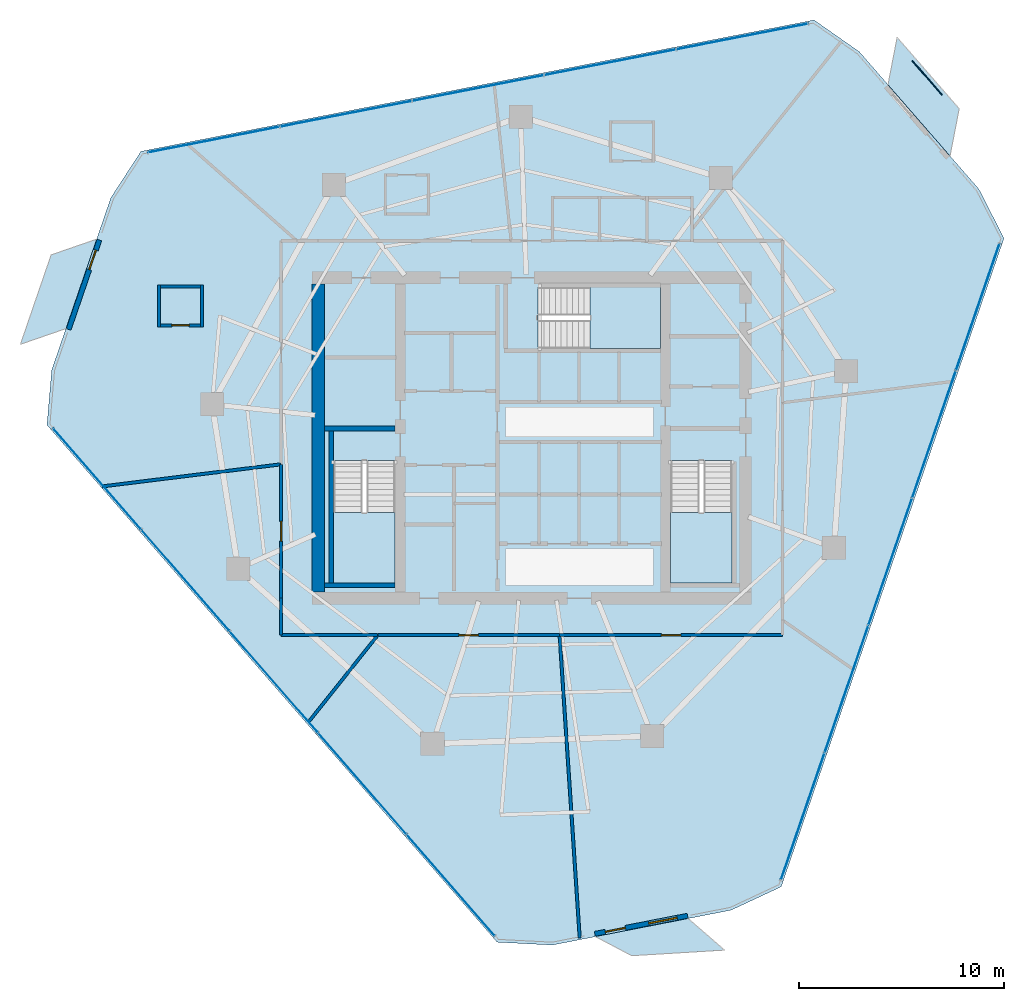
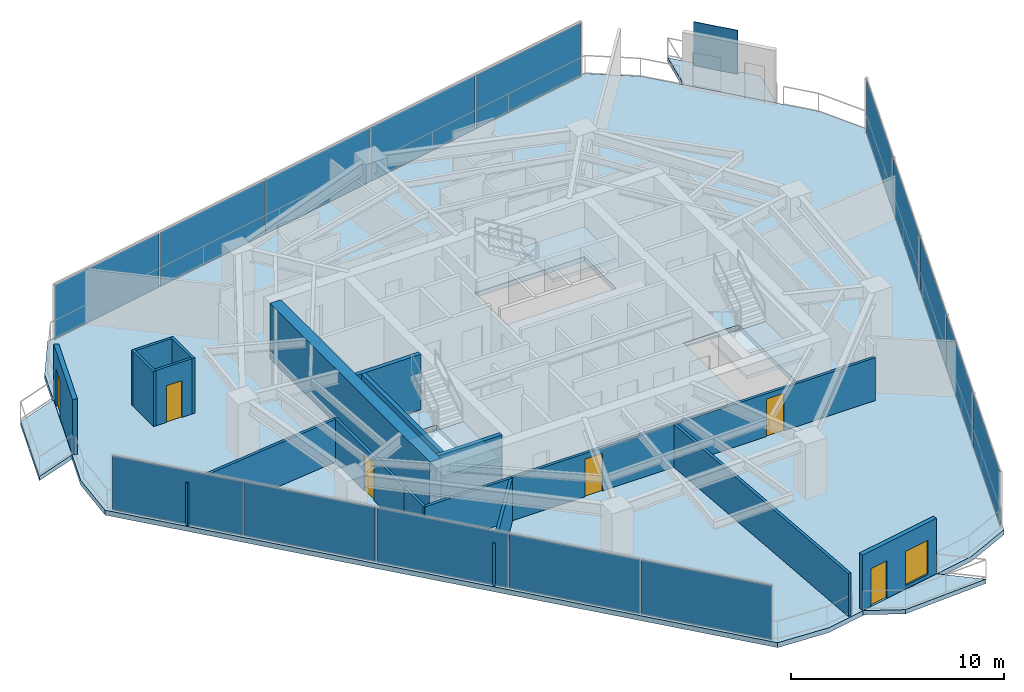
# One storey, part 22 of 27: 18 walls, 16 plates, 7 slabs, 6 doors, 1 window, 7 openings, 6 elements without a shape of their own.
"""IFC4 building model written with IfcOpenShell, lengths in metres."""

from ifc_helpers import new_model, si_unit, direction, frame, frame_2d, origin, origin_2d, place, context, subcontext, project, spatial, polyline, rectangle, outline, extrude, material, layer, layer_set, type_object, element, fill, aggregate, save


model = new_model("IFC4")

# Units and contexts
model_context = context("Model", 3, precision=1e-05, world=origin(), true_north=direction((0.0, 1.0)))
body_context = subcontext(model_context, "Body", "Model", "MODEL_VIEW")
ifc_project = project(units=[si_unit("LENGTHUNIT", "METRE"), si_unit("AREAUNIT", "SQUARE_METRE"), si_unit("VOLUMEUNIT", "CUBIC_METRE"), si_unit("PLANEANGLEUNIT", "RADIAN"), si_unit("MASSUNIT", "GRAM", prefix="KILO")], contexts=[model_context])

# Site, building, storey
site_placement = place(None, origin())
site = spatial("IfcSite", under=ifc_project, at=site_placement, CompositionType="ELEMENT")
building_placement = place(site_placement, origin())
building = spatial("IfcBuilding", under=site, at=building_placement, Name="Qarnah Convention Tower", CompositionType="ELEMENT")
storey_placement = place(building_placement, frame((0.0, 0.0, 107.39990234375)))
storey = spatial("IfcBuildingStorey", under=building, at=storey_placement, Name="L28", CompositionType="ELEMENT", Elevation=107.39990234375)

# Curtain wall, plates
ifc_material_1 = material(Name="Tempered Low-E dark glass", Category="glass")
ifc_layer_1 = layer(ifc_material_1, 0.169921875)
ifc_layer_set_1 = layer_set([ifc_layer_1], Name="Tempered Low-E dark glass")
curtain_wall_type = type_object("IfcCurtainWallType", Name="CWS-02", PredefinedType="NOTDEFINED", material=ifc_layer_set_1)
curtain_wall_1_placement = place(storey_placement, origin())
curtain_wall_1 = element("IfcCurtainWall", 1, at=curtain_wall_1_placement, inside=storey, type_object=curtain_wall_type, Name="L28 unitised curtain wall CW-L28-F1", PredefinedType="NOTDEFINED")
ifc_layer_2 = layer(ifc_material_1, 0.030029296875)
ifc_layer_set_2 = layer_set([ifc_layer_2], Name="Tempered Low-E dark glass")
plate_type_1 = type_object("IfcPlateType", Name="PNL-T2", PredefinedType="CURTAIN_PANEL", material=ifc_layer_set_2)
plate_1_placement = place(storey_placement, frame((21.709716796875, 40.919677734375, 0.0400390625), z_axis=(0.0, 0.0, 1.0), x_axis=(0.981494509817, 0.191490279646, 0.0)))
plate_1 = element("IfcPlate", 2, at=plate_1_placement, type_object=plate_type_1, Name="CW-L28-F1 curtain panel 1.1", PredefinedType="CURTAIN_PANEL", context=body_context, shape_type="SweptSolid", body=[
    extrude(rectangle(XDim=6.474853515625, YDim=0.030029296875, at=origin_2d()), origin(), (0.0, 0.0, 1.0), 3.090087890625),
])
plate_2_placement = place(storey_placement, frame((28.143310546875, 42.1748046875, 0.0400390625), z_axis=(0.0, 0.0, 1.0), x_axis=(0.981494509817, 0.191490279646, 0.0)))
plate_2 = element("IfcPlate", 3, at=plate_2_placement, type_object=plate_type_1, Name="CW-L28-F1 curtain panel 2.1", PredefinedType="CURTAIN_PANEL", context=body_context, shape_type="SweptSolid", body=[
    extrude(rectangle(XDim=6.474853515625, YDim=0.030029296875, at=origin_2d()), origin(), (0.0, 0.0, 1.0), 3.090087890625),
])
plate_3_placement = place(storey_placement, frame((34.576904296875, 43.429931640625, 0.0400390625), z_axis=(0.0, 0.0, 1.0), x_axis=(0.981494509817, 0.191490279646, 0.0)))
plate_3 = element("IfcPlate", 4, at=plate_3_placement, type_object=plate_type_1, Name="CW-L28-F1 curtain panel 3.1", PredefinedType="CURTAIN_PANEL", context=body_context, shape_type="SweptSolid", body=[
    extrude(rectangle(XDim=6.474853515625, YDim=0.030029296875, at=origin_2d()), origin(), (0.0, 0.0, 1.0), 3.090087890625),
])
plate_4_placement = place(storey_placement, frame((41.010498046875, 44.685302734375, 0.0400390625), z_axis=(0.0, 0.0, 1.0), x_axis=(0.981494509817, 0.191490279646, 0.0)))
plate_4 = element("IfcPlate", 5, at=plate_4_placement, type_object=plate_type_1, Name="CW-L28-F1 curtain panel 4.1", PredefinedType="CURTAIN_PANEL", context=body_context, shape_type="SweptSolid", body=[
    extrude(rectangle(XDim=6.474853515625, YDim=0.030029296875, at=origin_2d()), origin(), (0.0, 0.0, 1.0), 3.090087890625),
])
plate_5_placement = place(storey_placement, frame((47.444091796875, 45.9404296875, 0.0400390625), z_axis=(0.0, 0.0, 1.0), x_axis=(0.981494509817, 0.191490279646, 0.0)))
plate_5 = element("IfcPlate", 6, at=plate_5_placement, type_object=plate_type_1, Name="CW-L28-F1 curtain panel 5.1", PredefinedType="CURTAIN_PANEL", context=body_context, shape_type="SweptSolid", body=[
    extrude(rectangle(XDim=6.474853515625, YDim=0.030029296875, at=origin_2d()), origin(), (0.0, 0.0, 1.0), 3.090087890625),
])
aggregate(curtain_wall_1, [plate_1, plate_2, plate_3, plate_4, plate_5])

curtain_wall_2_placement = place(storey_placement, origin())
curtain_wall_2 = element("IfcCurtainWall", 7, at=curtain_wall_2_placement, inside=storey, type_object=curtain_wall_type, Name="L28 unitised curtain wall CW-L28-F2", PredefinedType="NOTDEFINED")
plate_6_placement = place(storey_placement, frame((58.9052734375, 32.7734375, 0.0400390625), z_axis=(0.0, 0.0, 1.0), x_axis=(-0.324901541187, -0.94574784617, 0.0)))
plate_6 = element("IfcPlate", 8, at=plate_6_placement, type_object=plate_type_1, Name="CW-L28-F2 curtain panel 1.1", PredefinedType="CURTAIN_PANEL", context=body_context, shape_type="SweptSolid", body=[
    extrude(rectangle(XDim=6.474609375, YDim=0.030029296875, at=origin_2d()), origin(), (0.0, 0.0, 1.0), 3.090087890625),
])
plate_7_placement = place(storey_placement, frame((56.775634765625, 26.574462890625, 0.0400390625), z_axis=(0.0, 0.0, 1.0), x_axis=(-0.324901541187, -0.94574784617, 0.0)))
plate_7 = element("IfcPlate", 9, at=plate_7_placement, type_object=plate_type_1, Name="CW-L28-F2 curtain panel 2.1", PredefinedType="CURTAIN_PANEL", context=body_context, shape_type="SweptSolid", body=[
    extrude(rectangle(XDim=6.474609375, YDim=0.030029296875, at=origin_2d()), origin(), (0.0, 0.0, 1.0), 3.090087890625),
])
plate_8_placement = place(storey_placement, frame((54.64599609375, 20.37548828125, 0.0400390625), z_axis=(0.0, 0.0, 1.0), x_axis=(-0.324901541187, -0.94574784617, 0.0)))
plate_8 = element("IfcPlate", 10, at=plate_8_placement, type_object=plate_type_1, Name="CW-L28-F2 curtain panel 3.1", PredefinedType="CURTAIN_PANEL", context=body_context, shape_type="SweptSolid", body=[
    extrude(rectangle(XDim=6.474609375, YDim=0.030029296875, at=origin_2d()), origin(), (0.0, 0.0, 1.0), 3.090087890625),
])
plate_9_placement = place(storey_placement, frame((52.516357421875, 14.176513671875, 0.0400390625), z_axis=(0.0, 0.0, 1.0), x_axis=(-0.324901541187, -0.94574784617, 0.0)))
plate_9 = element("IfcPlate", 11, at=plate_9_placement, type_object=plate_type_1, Name="CW-L28-F2 curtain panel 4.1", PredefinedType="CURTAIN_PANEL", context=body_context, shape_type="SweptSolid", body=[
    extrude(rectangle(XDim=6.474609375, YDim=0.030029296875, at=origin_2d()), origin(), (0.0, 0.0, 1.0), 3.090087890625),
])
plate_10_placement = place(storey_placement, frame((50.38671875, 7.9775390625, 0.0400390625), z_axis=(0.0, 0.0, 1.0), x_axis=(-0.324901541187, -0.94574784617, 0.0)))
plate_10 = element("IfcPlate", 12, at=plate_10_placement, type_object=plate_type_1, Name="CW-L28-F2 curtain panel 5.1", PredefinedType="CURTAIN_PANEL", context=body_context, shape_type="SweptSolid", body=[
    extrude(rectangle(XDim=6.474609375, YDim=0.030029296875, at=origin_2d()), origin(), (0.0, 0.0, 1.0), 3.090087890625),
])
aggregate(curtain_wall_2, [plate_6, plate_7, plate_8, plate_9, plate_10])

curtain_wall_3_placement = place(storey_placement, origin())
curtain_wall_3 = element("IfcCurtainWall", 13, at=curtain_wall_3_placement, inside=storey, type_object=curtain_wall_type, Name="L28 unitised curtain wall CW-L28-F3", PredefinedType="NOTDEFINED")
plate_11_placement = place(storey_placement, frame((33.253173828125, 4.634033203125, 0.0400390625), z_axis=(0.0, 0.0, 1.0), x_axis=(-0.6565842682, 0.754252675668, 0.0)))
plate_11 = element("IfcPlate", 14, at=plate_11_placement, type_object=plate_type_1, Name="CW-L28-F3 curtain panel 1.1", PredefinedType="CURTAIN_PANEL", context=body_context, shape_type="SweptSolid", body=[
    extrude(rectangle(XDim=6.474853515625, YDim=0.030029296875, at=origin_2d()), origin(), (0.0, 0.0, 1.0), 3.090087890625),
])
plate_12_placement = place(storey_placement, frame((28.94921875, 9.577880859375, 0.0400390625), z_axis=(0.0, 0.0, 1.0), x_axis=(-0.6565842682, 0.754252675668, 0.0)))
plate_12 = element("IfcPlate", 15, at=plate_12_placement, type_object=plate_type_1, Name="CW-L28-F3 curtain panel 2.1", PredefinedType="CURTAIN_PANEL", context=body_context, shape_type="SweptSolid", body=[
    extrude(rectangle(XDim=6.474853515625, YDim=0.030029296875, at=origin_2d()), origin(), (0.0, 0.0, 1.0), 3.090087890625),
])
plate_13_placement = place(storey_placement, frame((24.6455078125, 14.52197265625, 0.0400390625), z_axis=(0.0, 0.0, 1.0), x_axis=(-0.6565842682, 0.754252675668, 0.0)))
plate_13 = element("IfcPlate", 16, at=plate_13_placement, type_object=plate_type_1, Name="CW-L28-F3 curtain panel 3.1", PredefinedType="CURTAIN_PANEL", context=body_context, shape_type="SweptSolid", body=[
    extrude(rectangle(XDim=6.474853515625, YDim=0.030029296875, at=origin_2d()), origin(), (0.0, 0.0, 1.0), 3.090087890625),
])
plate_14_placement = place(storey_placement, frame((20.341796875, 19.466064453125, 0.0400390625), z_axis=(0.0, 0.0, 1.0), x_axis=(-0.6565842682, 0.754252675668, 0.0)))
plate_14 = element("IfcPlate", 17, at=plate_14_placement, type_object=plate_type_1, Name="CW-L28-F3 curtain panel 4.1", PredefinedType="CURTAIN_PANEL", context=body_context, shape_type="SweptSolid", body=[
    extrude(rectangle(XDim=6.474853515625, YDim=0.030029296875, at=origin_2d()), origin(), (0.0, 0.0, 1.0), 3.090087890625),
])
plate_15_placement = place(storey_placement, frame((16.037841796875, 24.409912109375, 0.0400390625), z_axis=(0.0, 0.0, 1.0), x_axis=(-0.6565842682, 0.754252675668, 0.0)))
plate_15 = element("IfcPlate", 18, at=plate_15_placement, type_object=plate_type_1, Name="CW-L28-F3 curtain panel 5.1", PredefinedType="CURTAIN_PANEL", context=body_context, shape_type="SweptSolid", body=[
    extrude(rectangle(XDim=6.474853515625, YDim=0.030029296875, at=origin_2d()), origin(), (0.0, 0.0, 1.0), 3.090087890625),
])
aggregate(curtain_wall_3, [plate_11, plate_12, plate_13, plate_14, plate_15])

# Plate
ifc_material_2 = material(Name="Black anodised aluminium", Category="aluminium")
ifc_layer_3 = layer(ifc_material_2, 0.044921875)
ifc_layer_set_3 = layer_set([ifc_layer_3], Name="Black anodised aluminium")
plate_type_2 = type_object("IfcPlateType", Name="SCR-BAL-18", PredefinedType="USERDEFINED", material=ifc_layer_set_3)
plate_16_placement = place(storey_placement, frame((56.444091796875, 43.924072265625, 0.0), z_axis=(0.0, 0.0, 1.0), x_axis=(0.656609450935, -0.754230753114, 0.0)))
element("IfcPlate", 19, at=plate_16_placement, inside=storey, type_object=plate_type_2, Name="L28 perforated desert solar screen BAL-L28-C1", ObjectType="SCREEN", PredefinedType="USERDEFINED", context=body_context, shape_type="SweptSolid", body=[
    extrude(rectangle(XDim=2.199951171875, YDim=0.044921875, at=origin_2d()), origin(), (0.0, 0.0, 1.0), 2.5),
])

# Slabs
ifc_material_3 = material(Name="Concrete C45/55", Category="concrete")
ifc_layer_4 = layer(ifc_material_3, 0.239990234375)
ifc_layer_set_4 = layer_set([ifc_layer_4], Name="Concrete C45/55")
slab_type_1 = type_object("IfcSlabType", Name="SLB-BAL-240", PredefinedType="USERDEFINED", material=ifc_layer_set_4)
slab_1_placement = place(storey_placement, frame((0.0, 0.0, -0.239990234375)))
element("IfcSlab", 20, at=slab_1_placement, inside=storey, type_object=slab_type_1, Name="L28 cantilevered balcony slab BAL-L28-C1", ObjectType="BALCONY", PredefinedType="USERDEFINED", context=body_context, shape_type="SweptSolid", body=[
    extrude(outline(polyline([(54.97998046875, 45.89404296875), (58.0, 42.425048828125), (57.553955078125, 40.12109375), (54.533935546875, 43.590087890625), (54.97998046875, 45.89404296875)])), origin(), (0.0, 0.0, 1.0), 0.239990234375),
])
slab_2_placement = place(storey_placement, frame((0.0, 0.0, -0.239990234375)))
element("IfcSlab", 21, at=slab_2_placement, inside=storey, type_object=slab_type_1, Name="L28 cantilevered balcony slab BAL-L28-C2", ObjectType="BALCONY", PredefinedType="USERDEFINED", context=body_context, shape_type="SweptSolid", body=[
    extrude(outline(polyline([(12.31005859375, 30.9599609375), (13.803955078125, 35.31005859375), (16.02197265625, 36.075927734375), (14.527099609375, 31.72412109375), (12.31005859375, 30.9599609375)])), origin(), (0.0, 0.0, 1.0), 0.239990234375),
])
slab_3_placement = place(storey_placement, frame((0.0, 0.0, -0.239990234375)))
element("IfcSlab", 22, at=slab_3_placement, inside=storey, type_object=slab_type_1, Name="L28 cantilevered balcony slab BAL-L28-C3", ObjectType="BALCONY", PredefinedType="USERDEFINED", context=body_context, shape_type="SweptSolid", body=[
    extrude(outline(polyline([(46.5791015625, 1.472900390625), (42.06396484375, 1.199951171875), (40.2919921875, 2.131103515625), (44.805908203125, 3.011962890625), (46.5791015625, 1.472900390625)])), origin(), (0.0, 0.0, 1.0), 0.239990234375),
])

# Stair, slab
ifc_material_4 = material(Name="Concrete C50/60", Category="concrete")
stair_type = type_object("IfcStairType", Name="STR-HTL", PredefinedType="HALF_TURN_STAIR", material=ifc_material_4)
stair_1_placement = place(storey_placement, origin())
stair_1 = element("IfcStair", 23, at=stair_1_placement, inside=storey, type_object=stair_type, Name="L28 Core exit stair ST-1", PredefinedType="HALF_TURN_STAIR")
ifc_layer_5 = layer(ifc_material_4, 0.199951171875)
ifc_layer_set_5 = layer_set([ifc_layer_5], Name="Concrete C50/60")
slab_type_2 = type_object("IfcSlabType", Name="SLB-LANDING-200", PredefinedType="LANDING", material=ifc_layer_set_5)
slab_4_placement = place(storey_placement, frame((0.0, 0.0, 1.525146484375)))
slab_4 = element("IfcSlab", 24, at=slab_4_placement, type_object=slab_type_2, Name="ST-1 landing 1", PredefinedType="LANDING", context=body_context, shape_type="SweptSolid", body=[
    extrude(outline(polyline([(27.550048828125, 22.780029296875), (27.550048828125, 19.35009765625), (30.550048828125, 19.35009765625), (30.550048828125, 22.780029296875), (27.550048828125, 22.780029296875)])), origin(), (0.0, 0.0, 1.0), 0.199951171875),
])
aggregate(stair_1, [slab_4])

stair_2_placement = place(storey_placement, origin())
stair_2 = element("IfcStair", 25, at=stair_2_placement, inside=storey, type_object=stair_type, Name="L28 Core exit stair ST-2", PredefinedType="HALF_TURN_STAIR")
slab_5_placement = place(storey_placement, frame((0.0, 0.0, 1.525146484375)))
slab_5 = element("IfcSlab", 26, at=slab_5_placement, type_object=slab_type_2, Name="ST-2 landing 1", PredefinedType="LANDING", context=body_context, shape_type="SweptSolid", body=[
    extrude(outline(polyline([(43.949951171875, 22.780029296875), (43.949951171875, 19.35009765625), (46.949951171875, 19.35009765625), (46.949951171875, 22.780029296875), (43.949951171875, 22.780029296875)])), origin(), (0.0, 0.0, 1.0), 0.199951171875),
])
aggregate(stair_2, [slab_5])

stair_3_placement = place(storey_placement, origin())
stair_3 = element("IfcStair", 27, at=stair_3_placement, inside=storey, type_object=stair_type, Name="L28 Core exit stair ST-3", PredefinedType="HALF_TURN_STAIR")
slab_6_placement = place(storey_placement, frame((0.0, 0.0, 1.525146484375)))
slab_6 = element("IfcSlab", 28, at=slab_6_placement, type_object=slab_type_2, Name="ST-3 landing 1", PredefinedType="LANDING", context=body_context, shape_type="SweptSolid", body=[
    extrude(outline(polyline([(40.02001953125, 30.75), (43.449951171875, 30.75), (43.449951171875, 33.75), (40.02001953125, 33.75), (40.02001953125, 30.75)])), origin(), (0.0, 0.0, 1.0), 0.199951171875),
])
aggregate(stair_3, [slab_6])

# Slab
ifc_layer_6 = layer(ifc_material_3, 0.280029296875)
ifc_layer_set_6 = layer_set([ifc_layer_6], Name="Concrete C45/55")
slab_type_3 = type_object("IfcSlabType", Name="SLB-TWR-280", PredefinedType="FLOOR", material=ifc_layer_set_6)
slab_7_placement = place(storey_placement, frame((0.0, 0.0, -0.27978515625)))
element("IfcSlab", 29, at=slab_7_placement, inside=storey, type_object=slab_type_3, Name="L28 structural floor slab", PredefinedType="FLOOR", context=body_context, shape_type="SweptSolid", body=[
    extrude(outline(polyline([(50.931884765625, 46.742919921875), (18.176025390625, 40.35205078125), (16.7109375, 38.093994140625), (13.8310546875, 29.7099609375), (13.59912109375, 27.029052734375), (35.510986328125, 1.85693359375), (38.198974609375, 1.718017578125), (46.89892578125, 3.416015625), (49.337890625, 4.554931640625), (60.180908203125, 36.117919921875), (58.9580078125, 38.514892578125), (53.136962890625, 45.200927734375), (50.931884765625, 46.742919921875)]), holes=[polyline([(27.550048828125, 25.300048828125), (27.550048828125, 19.35009765625), (30.550048828125, 19.35009765625), (30.550048828125, 25.300048828125), (27.550048828125, 25.300048828125)]), polyline([(43.949951171875, 25.300048828125), (43.949951171875, 19.35009765625), (46.949951171875, 19.35009765625), (46.949951171875, 25.300048828125), (43.949951171875, 25.300048828125)]), polyline([(37.5, 30.75), (43.449951171875, 30.75), (43.449951171875, 33.75), (37.5, 33.75), (37.5, 30.75)])]), origin(), (0.0, 0.0, 1.0), 0.27978515625),
])

# Walls
ifc_material_5 = material(Name="Concrete C60/75", Category="concrete")
ifc_layer_7 = layer(ifc_material_5, 0.60009765625)
ifc_layer_set_7 = layer_set([ifc_layer_7], Name="Concrete C60/75")
wall_type_1 = type_object("IfcWallType", Name="WL-CORE-600", PredefinedType="SHEAR", material=ifc_layer_set_7)
wall_1_placement = place(storey_placement, frame((26.800048828125, 18.89990234375, 0.0), z_axis=(0.0, 0.0, 1.0), x_axis=(0.0, 1.0, 0.0)))
element("IfcWall", 30, at=wall_1_placement, inside=storey, type_object=wall_type_1, Name="L28 core west shear wall", PredefinedType="SHEAR", context=body_context, shape_type="SweptSolid", body=[
    extrude(rectangle(XDim=15.0, YDim=0.60009765625, at=frame_2d((7.5, 0.0))), origin(), (0.0, 0.0, 1.0), 3.170166015625),
])
ifc_layer_8 = layer(ifc_material_5, 0.219970703125)
ifc_layer_set_8 = layer_set([ifc_layer_8], Name="Concrete C60/75")
wall_type_2 = type_object("IfcWallType", Name="WL-CORE-STAIR-220", PredefinedType="SHEAR", material=ifc_layer_set_8)
wall_2_placement = place(storey_placement, frame((27.10009765625, 26.860107421875, 0.0), z_axis=(0.0, 0.0, 1.0), x_axis=(1.0, 0.0, 0.0)))
element("IfcWall", 31, at=wall_2_placement, inside=storey, type_object=wall_type_2, Name="L28 stair shaft shear wall SW-L28-ST1N", PredefinedType="SHEAR", context=body_context, shape_type="SweptSolid", body=[
    extrude(rectangle(XDim=3.449951171875, YDim=0.219970703125, at=frame_2d((1.72509765625, 0.0))), origin(), (0.0, 0.0, 1.0), 3.170166015625),
])
wall_3_placement = place(storey_placement, frame((27.43994140625, 19.35009765625, 0.0), z_axis=(0.0, 0.0, 1.0), x_axis=(0.0, 1.0, 0.0)))
element("IfcWall", 32, at=wall_3_placement, inside=storey, type_object=wall_type_2, Name="L28 stair shaft shear wall SW-L28-ST1W", PredefinedType="SHEAR", context=body_context, shape_type="SweptSolid", body=[
    extrude(rectangle(XDim=7.39990234375, YDim=0.219970703125, at=frame_2d((3.699951171875, 0.0))), origin(), (0.0, 0.0, 1.0), 3.170166015625),
])
wall_4_placement = place(storey_placement, frame((27.10009765625, 19.239990234375, 0.0), z_axis=(0.0, 0.0, 1.0), x_axis=(1.0, 0.0, 0.0)))
element("IfcWall", 33, at=wall_4_placement, inside=storey, type_object=wall_type_2, Name="L28 stair shaft shear wall SW-L28-ST1S", PredefinedType="SHEAR", context=body_context, shape_type="SweptSolid", body=[
    extrude(rectangle(XDim=3.449951171875, YDim=0.219970703125, at=frame_2d((1.72509765625, 0.0))), origin(), (0.0, 0.0, 1.0), 3.170166015625),
])

# Wall, opening, door
ifc_material_6 = material(Name="Precast concrete C45/55", Category="concrete")
ifc_layer_9 = layer(ifc_material_6, 0.239990234375)
ifc_layer_set_9 = layer_set([ifc_layer_9], Name="Precast concrete C45/55")
wall_type_3 = type_object("IfcWallType", Name="WL-EXT-BAL-240", PredefinedType="SOLIDWALL", material=ifc_layer_set_9)
wall_5_placement = place(storey_placement, frame((14.656005859375, 31.681884765625, 0.0), z_axis=(0.0, 0.0, 1.0), x_axis=(0.3249877985, 0.945718208996, 0.0)))
wall_5 = element("IfcWall", 34, at=wall_5_placement, inside=storey, type_object=wall_type_3, Name="L28 loggia threshold wall BAL-L28-C2", PredefinedType="SOLIDWALL", context=body_context, shape_type="SweptSolid", body=[
    extrude(rectangle(XDim=4.599853515625, YDim=0.239990234375, at=frame_2d((2.2998046875, 0.0))), origin(), (0.0, 0.0, 1.0), 3.170166015625),
])
opening_1_placement = place(wall_5_placement, frame((3.080078125, 0.0, 0.0)))
opening_1 = element("IfcOpeningElement", 35, at=opening_1_placement, cuts=wall_5, Name="Opening BD-2802", PredefinedType="OPENING", context=body_context, shape_type="SweptSolid", body=[
    extrude(rectangle(XDim=1.0, YDim=2.14990234375, at=frame_2d((0.5, 1.074951171875))), frame((0.0, 0.1298828125, 0.0), z_axis=(0.0, -1.0, 0.0), x_axis=(1.0, 0.0, 0.0)), (0.0, 0.0, 1.0), 0.260009765625),
])
door_type_1 = type_object("IfcDoorType", Name="DT-BAL-1000", OperationType="NOTDEFINED", PredefinedType="DOOR", material=ifc_material_2)
door_1_placement = place(opening_1_placement, origin())
door_1 = element("IfcDoor", 36, at=door_1_placement, inside=storey, type_object=door_type_1, Name="L28 balcony terrace door BAL-L28-C2", OperationType="SINGLE_SWING_RIGHT", OverallHeight=2.14990234375, OverallWidth=1.0, PredefinedType="DOOR", context=body_context, shape_type="SweptSolid", body=[
    extrude(rectangle(XDim=1.0, YDim=2.14990234375, at=frame_2d((0.5, 1.074951171875))), frame((0.0, 0.02490234375, 0.0), z_axis=(0.0, -1.0, 0.0), x_axis=(1.0, 0.0, 0.0)), (0.0, 0.0, 1.0), 0.050048828125),
])
fill(opening_1, door_1)

# Wall, openings, door, window
wall_6_placement = place(storey_placement, frame((44.780029296875, 3.14501953125, 0.0), z_axis=(0.0, 0.0, 1.0), x_axis=(-0.981486455641, -0.191531557176, 0.0)))
wall_6 = element("IfcWall", 37, at=wall_6_placement, inside=storey, type_object=wall_type_3, Name="L28 loggia threshold wall BAL-L28-C3", PredefinedType="SOLIDWALL", context=body_context, shape_type="SweptSolid", body=[
    extrude(rectangle(XDim=4.600341796875, YDim=0.239990234375, at=frame_2d((2.30029296875, 0.0))), origin(), (0.0, 0.0, 1.0), 3.170166015625),
])
opening_2_placement = place(wall_6_placement, frame((3.080078125, 0.0, 0.0)))
opening_2 = element("IfcOpeningElement", 38, at=opening_2_placement, cuts=wall_6, Name="Opening BD-2803", PredefinedType="OPENING", context=body_context, shape_type="SweptSolid", body=[
    extrude(rectangle(XDim=1.0, YDim=2.14990234375, at=frame_2d((0.5, 1.074951171875))), frame((0.0, 0.1298828125, 0.0), z_axis=(0.0, -1.0, 0.0), x_axis=(1.0, 0.0, 0.0)), (0.0, 0.0, 1.0), 0.260009765625),
])
opening_3_placement = place(wall_6_placement, frame((0.52001953125, 0.0, 0.199951171875)))
opening_3 = element("IfcOpeningElement", 39, at=opening_3_placement, cuts=wall_6, Name="Opening WN4", PredefinedType="OPENING", context=body_context, shape_type="SweptSolid", body=[
    extrude(rectangle(XDim=1.39990234375, YDim=1.949951171875, at=frame_2d((0.699951171875, 0.97509765625))), frame((0.0, 0.1298828125, 0.0), z_axis=(0.0, -1.0, 0.0), x_axis=(1.0, 0.0, 0.0)), (0.0, 0.0, 1.0), 0.260009765625),
])
door_2_placement = place(opening_2_placement, origin())
door_2 = element("IfcDoor", 40, at=door_2_placement, inside=storey, type_object=door_type_1, Name="L28 balcony terrace door BAL-L28-C3", OperationType="SINGLE_SWING_LEFT", OverallHeight=2.14990234375, OverallWidth=1.0, PredefinedType="DOOR", context=body_context, shape_type="SweptSolid", body=[
    extrude(rectangle(XDim=1.0, YDim=2.14990234375, at=frame_2d((0.5, 1.074951171875))), frame((0.0, 0.02490234375, 0.0), z_axis=(0.0, -1.0, 0.0), x_axis=(1.0, 0.0, 0.0)), (0.0, 0.0, 1.0), 0.050048828125),
])
fill(opening_2, door_2)
window_type = type_object("IfcWindowType", Name="WT-BAL-1400X2000", PartitioningType="SINGLE_PANEL", PredefinedType="WINDOW", material=ifc_material_1)
window_placement = place(opening_3_placement, origin())
window = element("IfcWindow", 41, at=window_placement, inside=storey, type_object=window_type, Name="Window BW-BAL-L28-C3", OverallHeight=1.949951171875, OverallWidth=1.39990234375, PartitioningType="SINGLE_PANEL", PredefinedType="WINDOW", context=body_context, shape_type="SweptSolid", body=[
    extrude(rectangle(XDim=1.39990234375, YDim=1.949951171875, at=frame_2d((0.699951171875, 0.97509765625))), frame((0.0, 0.030029296875, 0.0), z_axis=(0.0, -1.0, 0.0), x_axis=(1.0, 0.0, 0.0)), (0.0, 0.0, 1.0), 0.06005859375),
])
fill(opening_3, window)

# Walls
ifc_material_7 = material(Name="Gypsum partition board")
ifc_layer_10 = layer(ifc_material_7, 0.14990234375)
ifc_layer_set_10 = layer_set([ifc_layer_10], Name="Gypsum partition board")
wall_type_4 = type_object("IfcWallType", Name="WL-SUITE-150", PredefinedType="PARTITIONING", material=ifc_layer_set_10)
wall_7_placement = place(storey_placement, frame((16.287109375, 24.041015625, 0.0), z_axis=(0.0, 0.0, 1.0), x_axis=(0.992448064648, 0.122665557419, 0.0)))
element("IfcWall", 42, at=wall_7_placement, inside=storey, type_object=wall_type_4, Name="L28 interior wall IW-L28-R-33", PredefinedType="PARTITIONING", context=body_context, shape_type="SweptSolid", body=[
    extrude(rectangle(XDim=8.779296875, YDim=0.14990234375, at=frame_2d((4.3896484375, 0.0))), origin(), (0.0, 0.0, 1.0), 2.455078125),
])
wall_8_placement = place(storey_placement, frame((26.30908203125, 12.547119140625, 0.0), z_axis=(0.0, 0.0, 1.0), x_axis=(0.623407861337, 0.781896820829, 0.0)))
element("IfcWall", 43, at=wall_8_placement, inside=storey, type_object=wall_type_4, Name="L28 interior wall IW-L28-R-36", PredefinedType="PARTITIONING", context=body_context, shape_type="SweptSolid", body=[
    extrude(rectangle(XDim=5.439208984375, YDim=0.14990234375, at=frame_2d((2.7197265625, 0.0))), origin(), (0.0, 0.0, 1.0), 2.455078125),
])
wall_9_placement = place(storey_placement, frame((29.699951171875, 16.800048828125, 0.0), z_axis=(0.0, 0.0, 1.0), x_axis=(-1.0, 0.0, 0.0)))
element("IfcWall", 44, at=wall_9_placement, inside=storey, type_object=wall_type_4, Name="L28 interior wall IW-L28-R-37", PredefinedType="PARTITIONING", context=body_context, shape_type="SweptSolid", body=[
    extrude(rectangle(XDim=4.699951171875, YDim=0.14990234375, at=frame_2d((2.35009765625, 0.0))), origin(), (0.0, 0.0, 1.0), 2.455078125),
])
wall_10_placement = place(storey_placement, frame((25.0, 16.800048828125, 0.0), z_axis=(0.0, 0.0, 1.0), x_axis=(0.0, 1.0, 0.0)))
element("IfcWall", 45, at=wall_10_placement, inside=storey, type_object=wall_type_4, Name="L28 interior wall IW-L28-R-38", PredefinedType="PARTITIONING", context=body_context, shape_type="SweptSolid", body=[
    extrude(rectangle(XDim=1.800048828125, YDim=0.14990234375, at=frame_2d((0.89990234375, 0.0))), origin(), (0.0, 0.0, 1.0), 2.455078125),
])

# Wall, opening, door
wall_11_placement = place(storey_placement, frame((25.0, 18.60009765625, 0.0), z_axis=(0.0, 0.0, 1.0), x_axis=(0.0, 1.0, 0.0)))
wall_11 = element("IfcWall", 46, at=wall_11_placement, inside=storey, type_object=wall_type_4, Name="L28 interior wall IW-L28-R-39", PredefinedType="PARTITIONING", context=body_context, shape_type="SweptSolid", body=[
    extrude(rectangle(XDim=6.517822265625, YDim=0.14990234375, at=frame_2d((3.2587890625, 0.0))), origin(), (0.0, 0.0, 1.0), 2.467041015625),
])
opening_4_placement = place(wall_11_placement, frame((2.783935546875, 0.0, 0.0)))
opening_4 = element("IfcOpeningElement", 47, at=opening_4_placement, cuts=wall_11, Name="Opening D-2826", PredefinedType="OPENING", context=body_context, shape_type="SweptSolid", body=[
    extrude(rectangle(XDim=0.949951171875, YDim=2.14990234375, at=frame_2d((0.47509765625, 1.074951171875))), frame((0.0, 0.0849609375, 0.0), z_axis=(0.0, -1.0, 0.0), x_axis=(1.0, 0.0, 0.0)), (0.0, 0.0, 1.0), 0.169921875),
])
ifc_material_8 = material(Name="Oak timber veneer", Category="wood")
door_type_2 = type_object("IfcDoorType", Name="DT-HOTEL-950", OperationType="NOTDEFINED", PredefinedType="DOOR", material=ifc_material_8)
door_3_placement = place(opening_4_placement, origin())
door_3 = element("IfcDoor", 48, at=door_3_placement, inside=storey, type_object=door_type_2, Name="Door D-2826", OperationType="SINGLE_SWING_LEFT", OverallHeight=2.14990234375, OverallWidth=0.949951171875, PredefinedType="DOOR", context=body_context, shape_type="SweptSolid", body=[
    extrude(rectangle(XDim=0.949951171875, YDim=2.14990234375, at=frame_2d((0.47509765625, 1.074951171875))), frame((0.0, 0.02490234375, 0.0), z_axis=(0.0, -1.0, 0.0), x_axis=(1.0, 0.0, 0.0)), (0.0, 0.0, 1.0), 0.050048828125),
])
fill(opening_4, door_3)

# Wall
wall_12_placement = place(storey_placement, frame((39.530029296875, 2.05908203125, 0.0), z_axis=(0.0, 0.0, 1.0), x_axis=(-0.066399456102, 0.997793120957, 0.0)))
element("IfcWall", 49, at=wall_12_placement, inside=storey, type_object=wall_type_4, Name="L28 interior wall IW-L28-R-40", PredefinedType="PARTITIONING", context=body_context, shape_type="SweptSolid", body=[
    extrude(rectangle(XDim=14.773681640625, YDim=0.14990234375, at=frame_2d((7.38671875, 0.0))), origin(), (0.0, 0.0, 1.0), 2.455078125),
])

# Wall, opening, door
wall_13_placement = place(storey_placement, frame((38.549072265625, 16.800048828125, 0.0), z_axis=(0.0, 0.0, 1.0), x_axis=(-1.0, 0.0, 0.0)))
wall_13 = element("IfcWall", 50, at=wall_13_placement, inside=storey, type_object=wall_type_4, Name="L28 interior wall IW-L28-R-41", PredefinedType="PARTITIONING", context=body_context, shape_type="SweptSolid", body=[
    extrude(rectangle(XDim=8.84912109375, YDim=0.14990234375, at=frame_2d((4.424560546875, 0.0))), origin(), (0.0, 0.0, 1.0), 2.467041015625),
])
opening_5_placement = place(wall_13_placement, frame((3.948974609375, 0.0, 0.0)))
opening_5 = element("IfcOpeningElement", 51, at=opening_5_placement, cuts=wall_13, Name="Opening D-2827", PredefinedType="OPENING", context=body_context, shape_type="SweptSolid", body=[
    extrude(rectangle(XDim=0.949951171875, YDim=2.14990234375, at=frame_2d((0.47509765625, 1.074951171875))), frame((0.0, 0.0849609375, 0.0), z_axis=(0.0, -1.0, 0.0), x_axis=(1.0, 0.0, 0.0)), (0.0, 0.0, 1.0), 0.169921875),
])
door_4_placement = place(opening_5_placement, origin())
door_4 = element("IfcDoor", 52, at=door_4_placement, inside=storey, type_object=door_type_2, Name="Door D-2827", OperationType="SINGLE_SWING_RIGHT", OverallHeight=2.14990234375, OverallWidth=0.949951171875, PredefinedType="DOOR", context=body_context, shape_type="SweptSolid", body=[
    extrude(rectangle(XDim=0.949951171875, YDim=2.14990234375, at=frame_2d((0.47509765625, 1.074951171875))), frame((0.0, 0.02490234375, 0.0), z_axis=(0.0, -1.0, 0.0), x_axis=(1.0, 0.0, 0.0)), (0.0, 0.0, 1.0), 0.050048828125),
])
fill(opening_5, door_4)

wall_14_placement = place(storey_placement, frame((49.39990234375, 16.800048828125, 0.0), z_axis=(0.0, 0.0, 1.0), x_axis=(-1.0, 0.0, 0.0)))
wall_14 = element("IfcWall", 53, at=wall_14_placement, inside=storey, type_object=wall_type_4, Name="L28 interior wall IW-L28-R-44", PredefinedType="PARTITIONING", context=body_context, shape_type="SweptSolid", body=[
    extrude(rectangle(XDim=10.850830078125, YDim=0.14990234375, at=frame_2d((5.42529296875, 0.0))), origin(), (0.0, 0.0, 1.0), 2.455078125),
])
opening_6_placement = place(wall_14_placement, frame((4.950927734375, 0.0, 0.0)))
opening_6 = element("IfcOpeningElement", 54, at=opening_6_placement, cuts=wall_14, Name="Opening D-2828", PredefinedType="OPENING", context=body_context, shape_type="SweptSolid", body=[
    extrude(rectangle(XDim=0.949951171875, YDim=2.14990234375, at=frame_2d((0.47509765625, 1.074951171875))), frame((0.0, 0.0849609375, 0.0), z_axis=(0.0, -1.0, 0.0), x_axis=(1.0, 0.0, 0.0)), (0.0, 0.0, 1.0), 0.169921875),
])
door_5_placement = place(opening_6_placement, origin())
door_5 = element("IfcDoor", 55, at=door_5_placement, inside=storey, type_object=door_type_2, Name="Door D-2828", OperationType="SINGLE_SWING_LEFT", OverallHeight=2.14990234375, OverallWidth=0.949951171875, PredefinedType="DOOR", context=body_context, shape_type="SweptSolid", body=[
    extrude(rectangle(XDim=0.949951171875, YDim=2.14990234375, at=frame_2d((0.47509765625, 1.074951171875))), frame((0.0, 0.02490234375, 0.0), z_axis=(0.0, -1.0, 0.0), x_axis=(1.0, 0.0, 0.0)), (0.0, 0.0, 1.0), 0.050048828125),
])
fill(opening_6, door_5)

ifc_layer_11 = layer(ifc_material_7, 0.139892578125)
ifc_layer_set_11 = layer_set([ifc_layer_11], Name="Gypsum partition board")
wall_type_5 = type_object("IfcWallType", Name="WL-WET-140", PredefinedType="PARTITIONING", material=ifc_layer_set_11)
wall_15_placement = place(storey_placement, frame((18.97900390625, 31.8759765625, 0.0), z_axis=(0.0, 0.0, 1.0), x_axis=(1.0, 0.0, 0.0)))
wall_15 = element("IfcWall", 56, at=wall_15_placement, inside=storey, type_object=wall_type_5, Name="L28 interior wall IW-L28-ENS03-1", PredefinedType="PARTITIONING", context=body_context, shape_type="SweptSolid", body=[
    extrude(rectangle(XDim=2.239990234375, YDim=0.139892578125, at=frame_2d((1.1201171875, 0.0))), origin(), (0.0, 0.0, 1.0), 3.170166015625),
])
opening_7_placement = place(wall_15_placement, frame((0.695068359375, 0.0, 0.0)))
opening_7 = element("IfcOpeningElement", 57, at=opening_7_placement, cuts=wall_15, Name="Opening D-2825", PredefinedType="OPENING", context=body_context, shape_type="SweptSolid", body=[
    extrude(rectangle(XDim=0.85009765625, YDim=2.10009765625, at=frame_2d((0.425048828125, 1.050048828125))), frame((0.0, 0.079833984375, 0.0), z_axis=(0.0, -1.0, 0.0), x_axis=(1.0, 0.0, 0.0)), (0.0, 0.0, 1.0), 0.159912109375),
])
door_type_3 = type_object("IfcDoorType", Name="DT-BATH-850", OperationType="NOTDEFINED", PredefinedType="DOOR", material=ifc_material_8)
door_6_placement = place(opening_7_placement, origin())
door_6 = element("IfcDoor", 58, at=door_6_placement, inside=storey, type_object=door_type_3, Name="Door D-2825", OperationType="SINGLE_SWING_RIGHT", OverallHeight=2.10009765625, OverallWidth=0.85009765625, PredefinedType="DOOR", context=body_context, shape_type="SweptSolid", body=[
    extrude(rectangle(XDim=0.85009765625, YDim=2.10009765625, at=frame_2d((0.425048828125, 1.050048828125))), frame((0.0, 0.02490234375, 0.0), z_axis=(0.0, -1.0, 0.0), x_axis=(1.0, 0.0, 0.0)), (0.0, 0.0, 1.0), 0.050048828125),
])
fill(opening_7, door_6)

# Walls
wall_16_placement = place(storey_placement, frame((21.14892578125, 31.805908203125, 0.0), z_axis=(0.0, 0.0, 1.0), x_axis=(0.0, 1.0, 0.0)))
element("IfcWall", 59, at=wall_16_placement, inside=storey, type_object=wall_type_5, Name="L28 interior wall IW-L28-ENS03-2", PredefinedType="PARTITIONING", context=body_context, shape_type="SweptSolid", body=[
    extrude(rectangle(XDim=2.0400390625, YDim=0.139892578125, at=frame_2d((1.02001953125, 0.0))), origin(), (0.0, 0.0, 1.0), 3.170166015625),
])
wall_17_placement = place(storey_placement, frame((21.218994140625, 33.77587890625, 0.0), z_axis=(0.0, 0.0, 1.0), x_axis=(-1.0, 0.0, 0.0)))
element("IfcWall", 60, at=wall_17_placement, inside=storey, type_object=wall_type_5, Name="L28 interior wall IW-L28-ENS03-3", PredefinedType="PARTITIONING", context=body_context, shape_type="SweptSolid", body=[
    extrude(rectangle(XDim=2.239990234375, YDim=0.139892578125, at=frame_2d((1.1201171875, 0.0))), origin(), (0.0, 0.0, 1.0), 3.170166015625),
])
wall_18_placement = place(storey_placement, frame((19.049072265625, 33.845947265625, 0.0), z_axis=(0.0, 0.0, 1.0), x_axis=(0.0, -1.0, 0.0)))
element("IfcWall", 61, at=wall_18_placement, inside=storey, type_object=wall_type_5, Name="L28 interior wall IW-L28-ENS03-4", PredefinedType="PARTITIONING", context=body_context, shape_type="SweptSolid", body=[
    extrude(rectangle(XDim=2.0400390625, YDim=0.139892578125, at=frame_2d((1.02001953125, 0.0))), origin(), (0.0, 0.0, 1.0), 3.170166015625),
])

save(model, "model.ifc")
